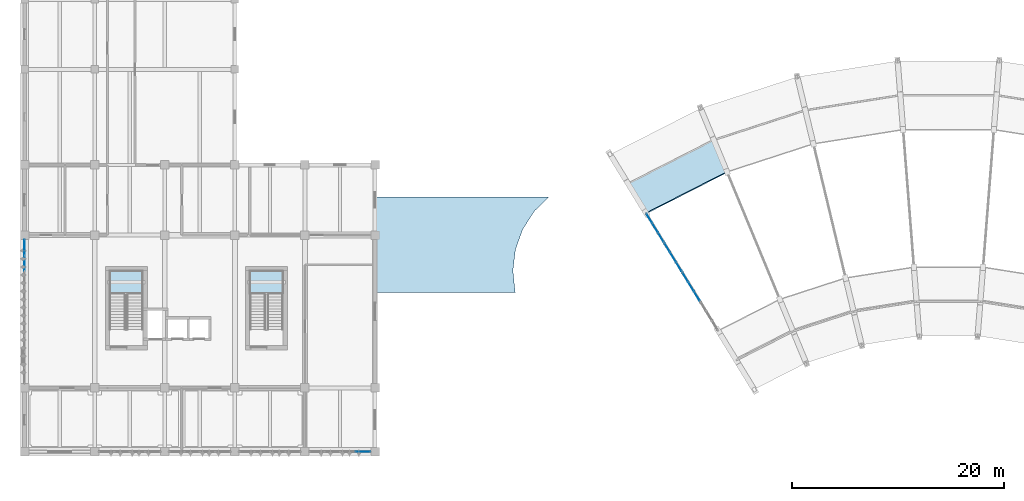
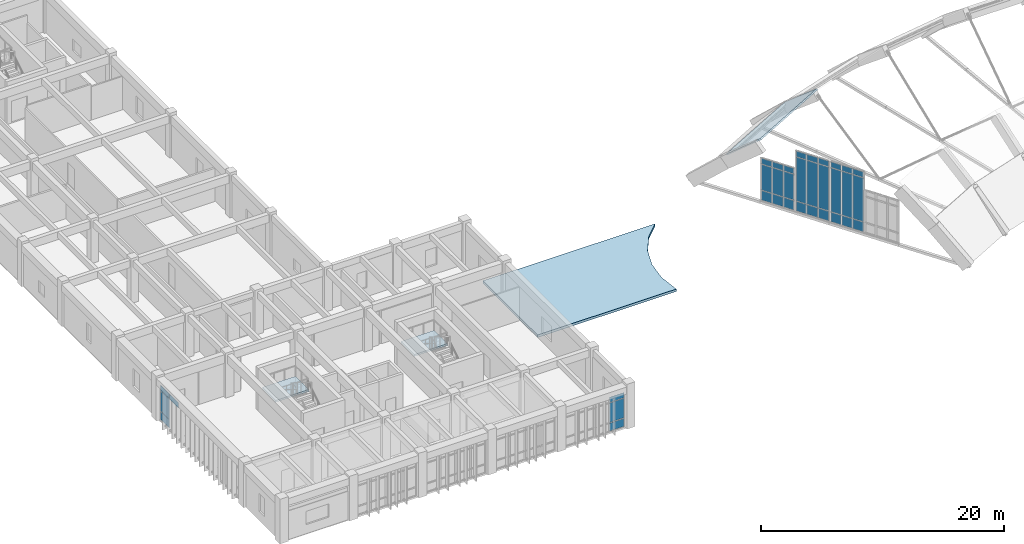
# One storey, part 16 of 34: 34 plates, 4 slabs, 7 elements without a shape of their own.
"""IFC4 building model written with IfcOpenShell, lengths in metres."""

import ifcopenshell
import ifcopenshell.guid

model = None  # the IFC model being written
_history = None  # IfcOwnerHistory: only IFC2X3 demands one
_inside = {}  # id of a spatial element -> (the spatial element, [elements in it])
_under = {}  # id of a project, library or spatial element -> (it, [spatial elements below it])
_declared = {}  # id of a project -> (the project, [libraries it declares])
_typed = {}  # id of a type object -> (the type object, [elements of that type])
_made_of = {}  # id of a material, layer set ... -> (it, [elements and type objects made of it])


def new_model(schema):
    """Start an empty IFC model of exactly this schema.

    Asked for "IFC4X3", IfcOpenShell would pick the latest addendum, in which some entities
    have other attributes; the version numbers below select the first issue.
    IFC2X3 requires an IfcOwnerHistory on every rooted entity: one is made here for all.
    """
    global model, _history
    if schema == "IFC4X3":
        model = ifcopenshell.file(schema_version=(4, 3, 0, 0))
    else:
        model = ifcopenshell.file(schema=schema)
    _inside.clear()
    _under.clear()
    _declared.clear()
    _typed.clear()
    _made_of.clear()
    _history = None
    if model.schema == "IFC2X3":
        org = make("IfcOrganization", Name="unknown")
        user = make(
            "IfcPersonAndOrganization",
            ThePerson=make("IfcPerson", FamilyName="unknown"),
            TheOrganization=org,
        )
        app = make(
            "IfcApplication",
            ApplicationDeveloper=org,
            Version="unknown",
            ApplicationFullName="unknown",
            ApplicationIdentifier="unknown",
        )
        _history = make(
            "IfcOwnerHistory",
            OwningUser=user,
            OwningApplication=app,
            ChangeAction="ADDED",
            CreationDate=0,
        )
    return model


def make(cls, **values):
    """One entity of the class cls with the attributes given. An attribute that is None is left unset."""
    return model.create_entity(
        cls, **{name: value for name, value in values.items() if value is not None}
    )


def rooted(cls, **values):
    """An entity with a GlobalId (a new one), such as an element, a storey or a relation."""
    return make(cls, GlobalId=ifcopenshell.guid.new(), OwnerHistory=_history, **values)


def si_unit(unit_type, name, prefix=None):
    """IfcSIUnit, for example si_unit("LENGTHUNIT", "METRE", prefix="MILLI")."""
    return make("IfcSIUnit", UnitType=unit_type, Prefix=prefix, Name=name)


def assignment(units):
    """IfcUnitAssignment: the units of a project."""
    return None if units is None else make("IfcUnitAssignment", Units=units)


def point(xyz):
    """IfcCartesianPoint."""
    return None if xyz is None else make("IfcCartesianPoint", Coordinates=xyz)


def direction(xyz):
    """IfcDirection."""
    return None if xyz is None else make("IfcDirection", DirectionRatios=xyz)


def frame(location, z_axis=None, x_axis=None):
    """IfcAxis2Placement3D, a coordinate frame: its origin and axes. An axis left out is left unset."""
    return make(
        "IfcAxis2Placement3D",
        Location=point(location),
        Axis=direction(z_axis),
        RefDirection=direction(x_axis),
    )


def frame_2d(location, x_axis=None):
    """IfcAxis2Placement2D, a coordinate frame in the plane: its origin and x axis."""
    return make(
        "IfcAxis2Placement2D", Location=point(location), RefDirection=direction(x_axis)
    )


def origin():
    """The frame at (0, 0, 0) with its axes left unset."""
    return frame((0.0, 0.0, 0.0))


def origin_2d():
    """The frame at (0, 0) in the plane with its x axis left unset."""
    return frame_2d((0.0, 0.0))


def place(relative_to, where):
    """IfcLocalPlacement: puts the frame where relative to a parent placement (None: the world)."""
    return make(
        "IfcLocalPlacement", PlacementRelTo=relative_to, RelativePlacement=where
    )


def context(
    kind, dimensions, precision=None, world=None, true_north=None, identifier=None
):
    """IfcGeometricRepresentationContext, for example the 3D "Model" context."""
    return make(
        "IfcGeometricRepresentationContext",
        ContextIdentifier=identifier,
        ContextType=kind,
        CoordinateSpaceDimension=dimensions,
        Precision=precision,
        WorldCoordinateSystem=world,
        TrueNorth=true_north,
    )


def subcontext(parent, identifier, kind, view, scale=None):
    """IfcGeometricRepresentationSubContext, for example "Body" below "Model"."""
    return make(
        "IfcGeometricRepresentationSubContext",
        ContextIdentifier=identifier,
        ContextType=kind,
        ParentContext=parent,
        TargetScale=scale,
        TargetView=view,
    )


def project(units=None, contexts=None):
    """IfcProject with its units and contexts."""
    return rooted(
        "IfcProject",
        Name="project",
        RepresentationContexts=contexts,
        UnitsInContext=assignment(units),
    )


def spatial(cls, under=None, at=None, **own):
    """A site, building, storey or space (cls), placed at a placement, below another one or the project."""
    s = rooted(cls, ObjectPlacement=at, **own)
    if under is not None:
        _under.setdefault(under.id(), (under, []))[1].append(s)
    return s


def polyline(points):
    """IfcPolyline through the points."""
    return make("IfcPolyline", Points=[point(p) for p in points])


def profile(cls, at=None, kind="AREA", **sizes):
    """A parametric profile (cls). Its sizes go by their IFC names, for example OverallWidth=200.0."""
    return make(cls, ProfileType=kind, Position=at, **sizes)


def rectangle(**sizes):
    """IfcRectangleProfileDef."""
    return profile("IfcRectangleProfileDef", **sizes)


def outline(outer, holes=None, kind="AREA"):
    """IfcArbitraryClosedProfileDef: a profile drawn as a closed curve; with holes, ...WithVoids."""
    if holes is None:
        return make("IfcArbitraryClosedProfileDef", ProfileType=kind, OuterCurve=outer)
    return make(
        "IfcArbitraryProfileDefWithVoids",
        ProfileType=kind,
        OuterCurve=outer,
        InnerCurves=holes,
    )


def extrude(swept, where, along, depth):
    """IfcExtrudedAreaSolid: the profile swept, set in the frame where, extruded along a direction by depth."""
    return make(
        "IfcExtrudedAreaSolid",
        SweptArea=swept,
        Position=where,
        ExtrudedDirection=direction(along),
        Depth=depth,
    )


def shape(context_of_items, identifier, shape_type, items):
    """IfcShapeRepresentation: the items that make up one representation, for example the "Body"."""
    return make(
        "IfcShapeRepresentation",
        ContextOfItems=context_of_items,
        RepresentationIdentifier=identifier,
        RepresentationType=shape_type,
        Items=items,
    )


def material(Name=None, Category=None):
    """IfcMaterial."""
    return make("IfcMaterial", Name=Name, Category=Category)


def layer(
    of_material, thickness, ventilated=None, Name=None, Category=None, Priority=None
):
    """IfcMaterialLayer: one layer of a wall or slab, of a material (None: an air gap)."""
    return make(
        "IfcMaterialLayer",
        Material=of_material,
        LayerThickness=thickness,
        IsVentilated=ventilated,
        Name=Name,
        Category=Category,
        Priority=Priority,
    )


def layer_set(layers, Name=None):
    """IfcMaterialLayerSet."""
    return make("IfcMaterialLayerSet", MaterialLayers=layers, LayerSetName=Name)


def made_of(thing, what):
    """Note that an element or type object is made of a material, layer set ...; save() writes the relation."""
    if what is not None:
        _made_of.setdefault(what.id(), (what, []))[1].append(thing)
    return thing


def type_object(cls, material=None, **own):
    """A type object (cls), such as IfcWallType, which elements share."""
    return made_of(rooted(cls, **own), material)


def element(
    cls,
    number,
    at=None,
    inside=None,
    cuts=None,
    type_object=None,
    material=None,
    context=None,
    identifier="Body",
    shape_type=None,
    held_by="IfcProductDefinitionShape",
    body=None,
    shapes=None,
    **own,
):
    """One element of the class cls, such as IfcWall. Its Tag is "e" and its number.

    at: its placement. inside: the storey or other place that contains it. cuts: it is an
    opening in that element (IfcRelVoidsElement). A single representation is given by context,
    identifier, shape_type and body (its items); several are given by shapes. held_by: the class
    of the entity that holds the representations. save() writes the other relations.
    """
    e = rooted(cls, Tag="e%d" % number, ObjectPlacement=at, **own)
    if body is not None:
        shapes = [shape(context, identifier, shape_type, body)]
    if shapes is not None:
        e.Representation = make(held_by, Representations=shapes)
    if inside is not None:
        _inside.setdefault(inside.id(), (inside, []))[1].append(e)
    if cuts is not None:
        rooted(
            "IfcRelVoidsElement", RelatingBuildingElement=cuts, RelatedOpeningElement=e
        )
    if type_object is not None:
        _typed.setdefault(type_object.id(), (type_object, []))[1].append(e)
    return made_of(e, material)


def aggregate(whole, parts):
    """IfcRelAggregates: a whole, such as a stair, and the parts it consists of."""
    return rooted("IfcRelAggregates", RelatingObject=whole, RelatedObjects=parts)


def save(model, path):
    """Write the relations noted so far, then the file.

    IfcRelAggregates (storeys below a building ...), IfcRelContainedInSpatialStructure (elements
    in a storey), IfcRelDefinesByType, IfcRelAssociatesMaterial and IfcRelDeclares: one each for
    every whole, place, type object, material and project.
    """
    for whole, parts in _under.values():
        aggregate(whole, parts)
    for where, things in _inside.values():
        rooted(
            "IfcRelContainedInSpatialStructure",
            RelatedElements=things,
            RelatingStructure=where,
        )
    for kind, things in _typed.values():
        rooted("IfcRelDefinesByType", RelatedObjects=things, RelatingType=kind)
    for what, things in _made_of.values():
        rooted("IfcRelAssociatesMaterial", RelatedObjects=things, RelatingMaterial=what)
    for by, libraries in _declared.values():
        rooted("IfcRelDeclares", RelatingContext=by, RelatedDefinitions=libraries)
    model.write(path)


model = new_model("IFC4")

# Units and contexts
model_context = context("Model", 3, precision=1e-05, world=origin(), true_north=direction((0.0, 1.0)))
body_context = subcontext(model_context, "Body", "Model", "MODEL_VIEW")
ifc_project = project(units=[si_unit("LENGTHUNIT", "METRE"), si_unit("AREAUNIT", "SQUARE_METRE"), si_unit("VOLUMEUNIT", "CUBIC_METRE"), si_unit("PLANEANGLEUNIT", "RADIAN"), si_unit("MASSUNIT", "GRAM", prefix="KILO")], contexts=[model_context])

# Site, building, storey
site_placement = place(None, origin())
site = spatial("IfcSite", under=ifc_project, at=site_placement, CompositionType="ELEMENT")
building_placement = place(site_placement, origin())
building = spatial("IfcBuilding", under=site, at=building_placement, Name="Miralva Faculty of Natural Sciences", CompositionType="ELEMENT")
storey_placement = place(building_placement, frame((0.0, 0.0, 24.0)))
storey = spatial("IfcBuildingStorey", under=building, at=storey_placement, Name="L05", CompositionType="ELEMENT", Elevation=24.0)

# Curtain wall, plates
ifc_material_1 = material(Name="Laminated solar-control glass", Category="glass")
ifc_layer_1 = layer(ifc_material_1, 0.179931640625, Name="CW-TWR-L03")
ifc_layer_set_1 = layer_set([ifc_layer_1], Name="Laminated solar-control glass")
curtain_wall_type_1 = type_object("IfcCurtainWallType", Name="CW-TWR-L03", PredefinedType="USERDEFINED", material=ifc_layer_set_1)
curtain_wall_1_placement = place(storey_placement, origin())
curtain_wall_1 = element("IfcCurtainWall", 1, at=curtain_wall_1_placement, inside=storey, type_object=curtain_wall_type_1, Name="Curtain wall CW-14 L05-237", ObjectType="UNITISED CURTAIN WALL", PredefinedType="USERDEFINED")
ifc_layer_2 = layer(ifc_material_1, 0.028076171875, Name="PNL-P01")
ifc_layer_set_2 = layer_set([ifc_layer_2], Name="Laminated solar-control glass")
plate_type = type_object("IfcPlateType", Name="PNL-P01", PredefinedType="CURTAIN_PANEL", material=ifc_layer_set_2)
plate_1_placement = place(storey_placement, frame((34.8701171875, 3.0, 0.06005859375), z_axis=(0.0, 0.0, 1.0), x_axis=(1.0, 0.0, 0.0)))
plate_1 = element("IfcPlate", 2, at=plate_1_placement, type_object=plate_type, Name="CW-14 panel 4.1", PredefinedType="CURTAIN_PANEL", context=body_context, shape_type="SweptSolid", body=[
    extrude(rectangle(XDim=1.360107421875, YDim=0.028076171875, at=origin_2d()), origin(), (0.0, 0.0, 1.0), 0.81005859375),
])
plate_2_placement = place(storey_placement, frame((34.8701171875, 3.0, 0.93017578125), z_axis=(0.0, 0.0, 1.0), x_axis=(1.0, 0.0, 0.0)))
plate_2 = element("IfcPlate", 3, at=plate_2_placement, type_object=plate_type, Name="CW-14 panel 4.2", PredefinedType="CURTAIN_PANEL", context=body_context, shape_type="SweptSolid", body=[
    extrude(rectangle(XDim=1.360107421875, YDim=0.028076171875, at=origin_2d()), origin(), (0.0, 0.0, 1.0), 1.965087890625),
])
plate_3_placement = place(storey_placement, frame((34.8701171875, 3.0, 2.955078125), z_axis=(0.0, 0.0, 1.0), x_axis=(1.0, 0.0, 0.0)))
plate_3 = element("IfcPlate", 4, at=plate_3_placement, type_object=plate_type, Name="CW-14 panel 4.3", PredefinedType="CURTAIN_PANEL", context=body_context, shape_type="SweptSolid", body=[
    extrude(rectangle(XDim=1.360107421875, YDim=0.028076171875, at=origin_2d()), origin(), (0.0, 0.0, 1.0), 0.510009765625),
])
aggregate(curtain_wall_1, [plate_1, plate_2, plate_3])

curtain_wall_2_placement = place(storey_placement, origin())
curtain_wall_2 = element("IfcCurtainWall", 5, at=curtain_wall_2_placement, inside=storey, type_object=curtain_wall_type_1, Name="Curtain wall CW-14 L05-238", ObjectType="UNITISED CURTAIN WALL", PredefinedType="USERDEFINED")
plate_4_placement = place(storey_placement, frame((3.0, 20.743408203125, 3.0048828125), z_axis=(0.0, 0.0, 1.0), x_axis=(0.0, 1.0, 0.0)))
plate_4 = element("IfcPlate", 6, at=plate_4_placement, type_object=plate_type, Name="CW-14 panel 8.3", PredefinedType="CURTAIN_PANEL", context=body_context, shape_type="SweptSolid", body=[
    extrude(rectangle(XDim=1.449462890625, YDim=0.028076171875, at=origin_2d()), origin(), (0.0, 0.0, 1.0), 0.510009765625),
])
plate_5_placement = place(storey_placement, frame((3.0, 22.241455078125, 0.06005859375), z_axis=(0.0, 0.0, 1.0), x_axis=(0.0, 1.0, 0.0)))
plate_5 = element("IfcPlate", 7, at=plate_5_placement, type_object=plate_type, Name="CW-14 panel 9.1", PredefinedType="CURTAIN_PANEL", context=body_context, shape_type="SweptSolid", body=[
    extrude(rectangle(XDim=1.4169921875, YDim=0.028076171875, at=origin_2d()), origin(), (0.0, 0.0, 1.0), 0.81005859375),
])
plate_6_placement = place(storey_placement, frame((3.0, 22.241455078125, 0.93017578125), z_axis=(0.0, 0.0, 1.0), x_axis=(0.0, 1.0, 0.0)))
plate_6 = element("IfcPlate", 8, at=plate_6_placement, type_object=plate_type, Name="CW-14 panel 9.2", PredefinedType="CURTAIN_PANEL", context=body_context, shape_type="SweptSolid", body=[
    extrude(rectangle(XDim=1.4169921875, YDim=0.028076171875, at=origin_2d()), origin(), (0.0, 0.0, 1.0), 2.014892578125),
])
plate_7_placement = place(storey_placement, frame((3.0, 22.241455078125, 3.0048828125), z_axis=(0.0, 0.0, 1.0), x_axis=(0.0, 1.0, 0.0)))
plate_7 = element("IfcPlate", 9, at=plate_7_placement, type_object=plate_type, Name="CW-14 panel 9.3", PredefinedType="CURTAIN_PANEL", context=body_context, shape_type="SweptSolid", body=[
    extrude(rectangle(XDim=1.4169921875, YDim=0.028076171875, at=origin_2d()), origin(), (0.0, 0.0, 1.0), 0.510009765625),
])
aggregate(curtain_wall_2, [plate_4, plate_5, plate_6, plate_7])

ifc_layer_3 = layer(ifc_material_1, 0.179931640625, Name="CW-ARC-L03")
ifc_layer_set_3 = layer_set([ifc_layer_3], Name="Laminated solar-control glass")
curtain_wall_type_2 = type_object("IfcCurtainWallType", Name="CW-ARC-L03", PredefinedType="USERDEFINED", material=ifc_layer_set_3)
curtain_wall_3_placement = place(storey_placement, origin())
curtain_wall_3 = element("IfcCurtainWall", 10, at=curtain_wall_3_placement, inside=storey, type_object=curtain_wall_type_2, Name="Shell arch W clerestory curtain wall K3", ObjectType="UNITISED CURTAIN WALL", PredefinedType="USERDEFINED")
plate_8_placement = place(storey_placement, frame((65.2255859375, 19.42822265625, 0.1552734375), z_axis=(0.0, 0.0, 1.0), x_axis=(0.522503617054, -0.852637068257, 0.0)))
plate_8 = element("IfcPlate", 11, at=plate_8_placement, type_object=plate_type, Name="CW-03 panel 1.1", PredefinedType="CURTAIN_PANEL", context=body_context, shape_type="SweptSolid", body=[
    extrude(rectangle(XDim=0.959228515625, YDim=0.028076171875, at=origin_2d()), origin(), (0.0, 0.0, 1.0), 0.952392578125),
])
plate_9_placement = place(storey_placement, frame((65.2255859375, 19.42822265625, 1.17236328125), z_axis=(0.0, 0.0, 1.0), x_axis=(0.522503617054, -0.852637068257, 0.0)))
plate_9 = element("IfcPlate", 12, at=plate_9_placement, type_object=plate_type, Name="CW-03 panel 1.2", PredefinedType="CURTAIN_PANEL", context=body_context, shape_type="SweptSolid", body=[
    extrude(rectangle(XDim=0.959228515625, YDim=0.028076171875, at=origin_2d()), origin(), (0.0, 0.0, 1.0), 4.385498046875),
])
plate_10_placement = place(storey_placement, frame((65.2255859375, 19.42822265625, 5.623046875), z_axis=(0.0, 0.0, 1.0), x_axis=(0.522503617054, -0.852637068257, 0.0)))
plate_10 = element("IfcPlate", 13, at=plate_10_placement, type_object=plate_type, Name="CW-03 panel 1.3", PredefinedType="CURTAIN_PANEL", context=body_context, shape_type="SweptSolid", body=[
    extrude(rectangle(XDim=0.959228515625, YDim=0.028076171875, at=origin_2d()), origin(), (0.0, 0.0, 1.0), 0.552490234375),
])
plate_11_placement = place(storey_placement, frame((65.76904296875, 18.541259765625, 0.1552734375), z_axis=(0.0, 0.0, 1.0), x_axis=(0.522503617054, -0.852637068257, 0.0)))
plate_11 = element("IfcPlate", 14, at=plate_11_placement, type_object=plate_type, Name="CW-03 panel 2.1", PredefinedType="CURTAIN_PANEL", context=body_context, shape_type="SweptSolid", body=[
    extrude(rectangle(XDim=0.99169921875, YDim=0.028076171875, at=origin_2d()), origin(), (0.0, 0.0, 1.0), 0.952392578125),
])
plate_12_placement = place(storey_placement, frame((65.76904296875, 18.541259765625, 1.17236328125), z_axis=(0.0, 0.0, 1.0), x_axis=(0.522503617054, -0.852637068257, 0.0)))
plate_12 = element("IfcPlate", 15, at=plate_12_placement, type_object=plate_type, Name="CW-03 panel 2.2", PredefinedType="CURTAIN_PANEL", context=body_context, shape_type="SweptSolid", body=[
    extrude(rectangle(XDim=0.99169921875, YDim=0.028076171875, at=origin_2d()), origin(), (0.0, 0.0, 1.0), 4.385498046875),
])
plate_13_placement = place(storey_placement, frame((65.76904296875, 18.541259765625, 5.623046875), z_axis=(0.0, 0.0, 1.0), x_axis=(0.522503617054, -0.852637068257, 0.0)))
plate_13 = element("IfcPlate", 16, at=plate_13_placement, type_object=plate_type, Name="CW-03 panel 2.3", PredefinedType="CURTAIN_PANEL", context=body_context, shape_type="SweptSolid", body=[
    extrude(rectangle(XDim=0.99169921875, YDim=0.028076171875, at=origin_2d()), origin(), (0.0, 0.0, 1.0), 0.552490234375),
])
plate_14_placement = place(storey_placement, frame((66.312744140625, 17.654052734375, 0.1552734375), z_axis=(0.0, 0.0, 1.0), x_axis=(0.522503617054, -0.852637068257, 0.0)))
plate_14 = element("IfcPlate", 17, at=plate_14_placement, type_object=plate_type, Name="CW-03 panel 3.1", PredefinedType="CURTAIN_PANEL", context=body_context, shape_type="SweptSolid", body=[
    extrude(rectangle(XDim=0.959228515625, YDim=0.028076171875, at=origin_2d()), origin(), (0.0, 0.0, 1.0), 0.952392578125),
])
plate_15_placement = place(storey_placement, frame((66.312744140625, 17.654052734375, 1.17236328125), z_axis=(0.0, 0.0, 1.0), x_axis=(0.522503617054, -0.852637068257, 0.0)))
plate_15 = element("IfcPlate", 18, at=plate_15_placement, type_object=plate_type, Name="CW-03 panel 3.2", PredefinedType="CURTAIN_PANEL", context=body_context, shape_type="SweptSolid", body=[
    extrude(rectangle(XDim=0.959228515625, YDim=0.028076171875, at=origin_2d()), origin(), (0.0, 0.0, 1.0), 4.385498046875),
])
plate_16_placement = place(storey_placement, frame((66.312744140625, 17.654052734375, 5.623046875), z_axis=(0.0, 0.0, 1.0), x_axis=(0.522503617054, -0.852637068257, 0.0)))
plate_16 = element("IfcPlate", 19, at=plate_16_placement, type_object=plate_type, Name="CW-03 panel 3.3", PredefinedType="CURTAIN_PANEL", context=body_context, shape_type="SweptSolid", body=[
    extrude(rectangle(XDim=0.959228515625, YDim=0.028076171875, at=origin_2d()), origin(), (0.0, 0.0, 1.0), 0.552490234375),
])
aggregate(curtain_wall_3, [plate_8, plate_9, plate_10, plate_11, plate_12, plate_13, plate_14, plate_15, plate_16])

curtain_wall_4_placement = place(storey_placement, origin())
curtain_wall_4 = element("IfcCurtainWall", 20, at=curtain_wall_4_placement, inside=storey, type_object=curtain_wall_type_2, Name="Shell arch W clerestory curtain wall K4", ObjectType="UNITISED CURTAIN WALL", PredefinedType="USERDEFINED")
plate_17_placement = place(storey_placement, frame((63.52734375, 22.199462890625, 0.1552734375), z_axis=(0.0, 0.0, 1.0), x_axis=(0.522512496459, -0.852631626815, 0.0)))
plate_17 = element("IfcPlate", 21, at=plate_17_placement, type_object=plate_type, Name="CW-03 panel 1.1", PredefinedType="CURTAIN_PANEL", context=body_context, shape_type="SweptSolid", body=[
    extrude(rectangle(XDim=0.959228515625, YDim=0.028076171875, at=origin_2d()), origin(), (0.0, 0.0, 1.0), 0.952392578125),
])
plate_18_placement = place(storey_placement, frame((63.52734375, 22.199462890625, 1.17236328125), z_axis=(0.0, 0.0, 1.0), x_axis=(0.522512496459, -0.852631626815, 0.0)))
plate_18 = element("IfcPlate", 22, at=plate_18_placement, type_object=plate_type, Name="CW-03 panel 1.2", PredefinedType="CURTAIN_PANEL", context=body_context, shape_type="SweptSolid", body=[
    extrude(rectangle(XDim=0.959228515625, YDim=0.028076171875, at=origin_2d()), origin(), (0.0, 0.0, 1.0), 4.385498046875),
])
plate_19_placement = place(storey_placement, frame((63.52734375, 22.199462890625, 5.623046875), z_axis=(0.0, 0.0, 1.0), x_axis=(0.522512496459, -0.852631626815, 0.0)))
plate_19 = element("IfcPlate", 23, at=plate_19_placement, type_object=plate_type, Name="CW-03 panel 1.3", PredefinedType="CURTAIN_PANEL", context=body_context, shape_type="SweptSolid", body=[
    extrude(rectangle(XDim=0.959228515625, YDim=0.028076171875, at=origin_2d()), origin(), (0.0, 0.0, 1.0), 0.552490234375),
])
plate_20_placement = place(storey_placement, frame((64.071044921875, 21.312255859375, 0.1552734375), z_axis=(0.0, 0.0, 1.0), x_axis=(0.522512496459, -0.852631626815, 0.0)))
plate_20 = element("IfcPlate", 24, at=plate_20_placement, type_object=plate_type, Name="CW-03 panel 2.1", PredefinedType="CURTAIN_PANEL", context=body_context, shape_type="SweptSolid", body=[
    extrude(rectangle(XDim=0.99169921875, YDim=0.028076171875, at=origin_2d()), origin(), (0.0, 0.0, 1.0), 0.952392578125),
])
plate_21_placement = place(storey_placement, frame((64.071044921875, 21.312255859375, 1.17236328125), z_axis=(0.0, 0.0, 1.0), x_axis=(0.522512496459, -0.852631626815, 0.0)))
plate_21 = element("IfcPlate", 25, at=plate_21_placement, type_object=plate_type, Name="CW-03 panel 2.2", PredefinedType="CURTAIN_PANEL", context=body_context, shape_type="SweptSolid", body=[
    extrude(rectangle(XDim=0.99169921875, YDim=0.028076171875, at=origin_2d()), origin(), (0.0, 0.0, 1.0), 4.385498046875),
])
plate_22_placement = place(storey_placement, frame((64.071044921875, 21.312255859375, 5.623046875), z_axis=(0.0, 0.0, 1.0), x_axis=(0.522512496459, -0.852631626815, 0.0)))
plate_22 = element("IfcPlate", 26, at=plate_22_placement, type_object=plate_type, Name="CW-03 panel 2.3", PredefinedType="CURTAIN_PANEL", context=body_context, shape_type="SweptSolid", body=[
    extrude(rectangle(XDim=0.99169921875, YDim=0.028076171875, at=origin_2d()), origin(), (0.0, 0.0, 1.0), 0.552490234375),
])
plate_23_placement = place(storey_placement, frame((64.61474609375, 20.425048828125, 0.1552734375), z_axis=(0.0, 0.0, 1.0), x_axis=(0.522512496459, -0.852631626815, 0.0)))
plate_23 = element("IfcPlate", 27, at=plate_23_placement, type_object=plate_type, Name="CW-03 panel 3.1", PredefinedType="CURTAIN_PANEL", context=body_context, shape_type="SweptSolid", body=[
    extrude(rectangle(XDim=0.959228515625, YDim=0.028076171875, at=origin_2d()), origin(), (0.0, 0.0, 1.0), 0.952392578125),
])
plate_24_placement = place(storey_placement, frame((64.61474609375, 20.425048828125, 1.17236328125), z_axis=(0.0, 0.0, 1.0), x_axis=(0.522512496459, -0.852631626815, 0.0)))
plate_24 = element("IfcPlate", 28, at=plate_24_placement, type_object=plate_type, Name="CW-03 panel 3.2", PredefinedType="CURTAIN_PANEL", context=body_context, shape_type="SweptSolid", body=[
    extrude(rectangle(XDim=0.959228515625, YDim=0.028076171875, at=origin_2d()), origin(), (0.0, 0.0, 1.0), 4.385498046875),
])
plate_25_placement = place(storey_placement, frame((64.61474609375, 20.425048828125, 5.623046875), z_axis=(0.0, 0.0, 1.0), x_axis=(0.522512496459, -0.852631626815, 0.0)))
plate_25 = element("IfcPlate", 29, at=plate_25_placement, type_object=plate_type, Name="CW-03 panel 3.3", PredefinedType="CURTAIN_PANEL", context=body_context, shape_type="SweptSolid", body=[
    extrude(rectangle(XDim=0.959228515625, YDim=0.028076171875, at=origin_2d()), origin(), (0.0, 0.0, 1.0), 0.552490234375),
])
aggregate(curtain_wall_4, [plate_17, plate_18, plate_19, plate_20, plate_21, plate_22, plate_23, plate_24, plate_25])

curtain_wall_5_placement = place(storey_placement, origin())
curtain_wall_5 = element("IfcCurtainWall", 30, at=curtain_wall_5_placement, inside=storey, type_object=curtain_wall_type_2, Name="Shell arch W clerestory curtain wall K5", ObjectType="UNITISED CURTAIN WALL", PredefinedType="USERDEFINED")
plate_26_placement = place(storey_placement, frame((61.829345703125, 24.970458984375, 0.1552734375), z_axis=(0.0, 0.0, 1.0), x_axis=(0.522489563224, -0.85264568041, 0.0)))
plate_26 = element("IfcPlate", 31, at=plate_26_placement, type_object=plate_type, Name="CW-03 panel 1.1", PredefinedType="CURTAIN_PANEL", context=body_context, shape_type="SweptSolid", body=[
    extrude(rectangle(XDim=0.959228515625, YDim=0.028076171875, at=origin_2d()), origin(), (0.0, 0.0, 1.0), 0.952392578125),
])
plate_27_placement = place(storey_placement, frame((61.829345703125, 24.970458984375, 1.17236328125), z_axis=(0.0, 0.0, 1.0), x_axis=(0.522489563224, -0.85264568041, 0.0)))
plate_27 = element("IfcPlate", 32, at=plate_27_placement, type_object=plate_type, Name="CW-03 panel 1.2", PredefinedType="CURTAIN_PANEL", context=body_context, shape_type="SweptSolid", body=[
    extrude(rectangle(XDim=0.959228515625, YDim=0.028076171875, at=origin_2d()), origin(), (0.0, 0.0, 1.0), 2.564697265625),
])
plate_28_placement = place(storey_placement, frame((61.829345703125, 24.970458984375, 3.80224609375), z_axis=(0.0, 0.0, 1.0), x_axis=(0.522489563224, -0.85264568041, 0.0)))
plate_28 = element("IfcPlate", 33, at=plate_28_placement, type_object=plate_type, Name="CW-03 panel 1.3", PredefinedType="CURTAIN_PANEL", context=body_context, shape_type="SweptSolid", body=[
    extrude(rectangle(XDim=0.959228515625, YDim=0.028076171875, at=origin_2d()), origin(), (0.0, 0.0, 1.0), 0.552490234375),
])
plate_29_placement = place(storey_placement, frame((62.372802734375, 24.083251953125, 0.1552734375), z_axis=(0.0, 0.0, 1.0), x_axis=(0.522489563224, -0.85264568041, 0.0)))
plate_29 = element("IfcPlate", 34, at=plate_29_placement, type_object=plate_type, Name="CW-03 panel 2.1", PredefinedType="CURTAIN_PANEL", context=body_context, shape_type="SweptSolid", body=[
    extrude(rectangle(XDim=0.99169921875, YDim=0.028076171875, at=origin_2d()), origin(), (0.0, 0.0, 1.0), 0.952392578125),
])
plate_30_placement = place(storey_placement, frame((62.372802734375, 24.083251953125, 1.17236328125), z_axis=(0.0, 0.0, 1.0), x_axis=(0.522489563224, -0.85264568041, 0.0)))
plate_30 = element("IfcPlate", 35, at=plate_30_placement, type_object=plate_type, Name="CW-03 panel 2.2", PredefinedType="CURTAIN_PANEL", context=body_context, shape_type="SweptSolid", body=[
    extrude(rectangle(XDim=0.99169921875, YDim=0.028076171875, at=origin_2d()), origin(), (0.0, 0.0, 1.0), 2.564697265625),
])
plate_31_placement = place(storey_placement, frame((62.372802734375, 24.083251953125, 3.80224609375), z_axis=(0.0, 0.0, 1.0), x_axis=(0.522489563224, -0.85264568041, 0.0)))
plate_31 = element("IfcPlate", 36, at=plate_31_placement, type_object=plate_type, Name="CW-03 panel 2.3", PredefinedType="CURTAIN_PANEL", context=body_context, shape_type="SweptSolid", body=[
    extrude(rectangle(XDim=0.99169921875, YDim=0.028076171875, at=origin_2d()), origin(), (0.0, 0.0, 1.0), 0.552490234375),
])
plate_32_placement = place(storey_placement, frame((62.91650390625, 23.1962890625, 0.1552734375), z_axis=(0.0, 0.0, 1.0), x_axis=(0.522489563224, -0.85264568041, 0.0)))
plate_32 = element("IfcPlate", 37, at=plate_32_placement, type_object=plate_type, Name="CW-03 panel 3.1", PredefinedType="CURTAIN_PANEL", context=body_context, shape_type="SweptSolid", body=[
    extrude(rectangle(XDim=0.959228515625, YDim=0.028076171875, at=origin_2d()), origin(), (0.0, 0.0, 1.0), 0.952392578125),
])
plate_33_placement = place(storey_placement, frame((62.91650390625, 23.1962890625, 1.17236328125), z_axis=(0.0, 0.0, 1.0), x_axis=(0.522489563224, -0.85264568041, 0.0)))
plate_33 = element("IfcPlate", 38, at=plate_33_placement, type_object=plate_type, Name="CW-03 panel 3.2", PredefinedType="CURTAIN_PANEL", context=body_context, shape_type="SweptSolid", body=[
    extrude(rectangle(XDim=0.959228515625, YDim=0.028076171875, at=origin_2d()), origin(), (0.0, 0.0, 1.0), 2.564697265625),
])
plate_34_placement = place(storey_placement, frame((62.91650390625, 23.1962890625, 3.80224609375), z_axis=(0.0, 0.0, 1.0), x_axis=(0.522489563224, -0.85264568041, 0.0)))
plate_34 = element("IfcPlate", 39, at=plate_34_placement, type_object=plate_type, Name="CW-03 panel 3.3", PredefinedType="CURTAIN_PANEL", context=body_context, shape_type="SweptSolid", body=[
    extrude(rectangle(XDim=0.959228515625, YDim=0.028076171875, at=origin_2d()), origin(), (0.0, 0.0, 1.0), 0.552490234375),
])
aggregate(curtain_wall_5, [plate_26, plate_27, plate_28, plate_29, plate_30, plate_31, plate_32, plate_33, plate_34])

# Stair, slab
ifc_material_2 = material(Name="Concrete C40/50", Category="concrete")
stair_type = type_object("IfcStairType", Name="ST-CORE-450", PredefinedType="HALF_TURN_STAIR", material=ifc_material_2)
stair_1_placement = place(storey_placement, origin())
stair_1 = element("IfcStair", 40, at=stair_1_placement, inside=storey, type_object=stair_type, Name="Exit Stair Core C1 (ST-03) L05", PredefinedType="HALF_TURN_STAIR")
ifc_layer_4 = layer(ifc_material_2, 0.18994140625, Name="SL-LD01")
ifc_layer_set_4 = layer_set([ifc_layer_4], Name="Concrete C40/50")
slab_type_1 = type_object("IfcSlabType", Name="SL-LD01", PredefinedType="LANDING", material=ifc_layer_set_4)
slab_1_placement = place(storey_placement, frame((0.0, 0.0, 2.06005859375)))
slab_1 = element("IfcSlab", 41, at=slab_1_placement, type_object=slab_type_1, Name="ST-03 landing 1", PredefinedType="LANDING", context=body_context, shape_type="SweptSolid", body=[
    extrude(outline(polyline([(14.14990234375, 17.860107421875), (14.14990234375, 20.050048828125), (11.0, 20.050048828125), (11.0, 17.860107421875), (14.14990234375, 17.860107421875)])), origin(), (0.0, 0.0, 1.0), 0.18994140625),
])
aggregate(stair_1, [slab_1])

stair_2_placement = place(storey_placement, origin())
stair_2 = element("IfcStair", 42, at=stair_2_placement, inside=storey, type_object=stair_type, Name="Exit Stair Core C1B (ST-03) L05", PredefinedType="HALF_TURN_STAIR")
slab_2_placement = place(storey_placement, frame((0.0, 0.0, 2.06005859375)))
slab_2 = element("IfcSlab", 43, at=slab_2_placement, type_object=slab_type_1, Name="ST-03 landing 1", PredefinedType="LANDING", context=body_context, shape_type="SweptSolid", body=[
    extrude(outline(polyline([(27.35009765625, 17.860107421875), (27.35009765625, 20.050048828125), (24.199951171875, 20.050048828125), (24.199951171875, 17.860107421875), (27.35009765625, 17.860107421875)])), origin(), (0.0, 0.0, 1.0), 0.18994140625),
])
aggregate(stair_2, [slab_2])

# Slabs
ifc_layer_5 = layer(ifc_material_2, 0.25, Name="SL-RF01")
ifc_layer_set_5 = layer_set([ifc_layer_5], Name="Concrete C40/50")
slab_type_2 = type_object("IfcSlabType", Name="SL-RF01", PredefinedType="ROOF", material=ifc_layer_set_5)
slab_3_placement = place(storey_placement, frame((0.0, 0.0, -0.25)))
element("IfcSlab", 44, at=slab_3_placement, inside=storey, type_object=slab_type_2, Name="West Link Maintenance Roof", PredefinedType="ROOF", context=body_context, shape_type="SweptSolid", body=[
    extrude(outline(polyline([(36.0, 18.0), (36.0, 27.0), (52.37451171875, 27.0), (51.00537109375, 25.657958984375), (49.916259765625, 23.962158203125), (49.231689453125, 22.066650390625), (48.986083984375, 20.06640625), (49.191650390625, 18.0615234375), (49.21240234375, 18.0), (36.0, 18.0)])), origin(), (0.0, 0.0, 1.0), 0.25),
])
ifc_layer_6 = layer(ifc_material_2, 0.139892578125, Name="SL-SH01")
ifc_layer_set_6 = layer_set([ifc_layer_6], Name="Concrete C40/50")
slab_type_3 = type_object("IfcSlabType", Name="SL-SH01", PredefinedType="ROOF", material=ifc_layer_set_6)
slab_4_placement = place(storey_placement, frame((61.513427734375, 25.48583984375, 6.300048828125), z_axis=(-0.287929637634, 0.56507345126, 0.773167846236), x_axis=(0.890999757488, 0.454003779892, -3.17503e-07)))
element("IfcSlab", 45, at=slab_4_placement, inside=storey, type_object=slab_type_3, Name="Thin concrete shell roof bay 1 strip 7", PredefinedType="ROOF", context=body_context, shape_type="SweptSolid", body=[
    extrude(outline(polyline([(0.0, 0.0), (8.555063613914106, -4.440892098500626e-16), (8.807168485007802, 4.139058963016213), (-0.25178919525865723, 4.139067781203632), (0.0, 0.0)])), origin(), (0.0, 0.0, -1.0), 0.139892578125),
])

save(model, "model.ifc")
